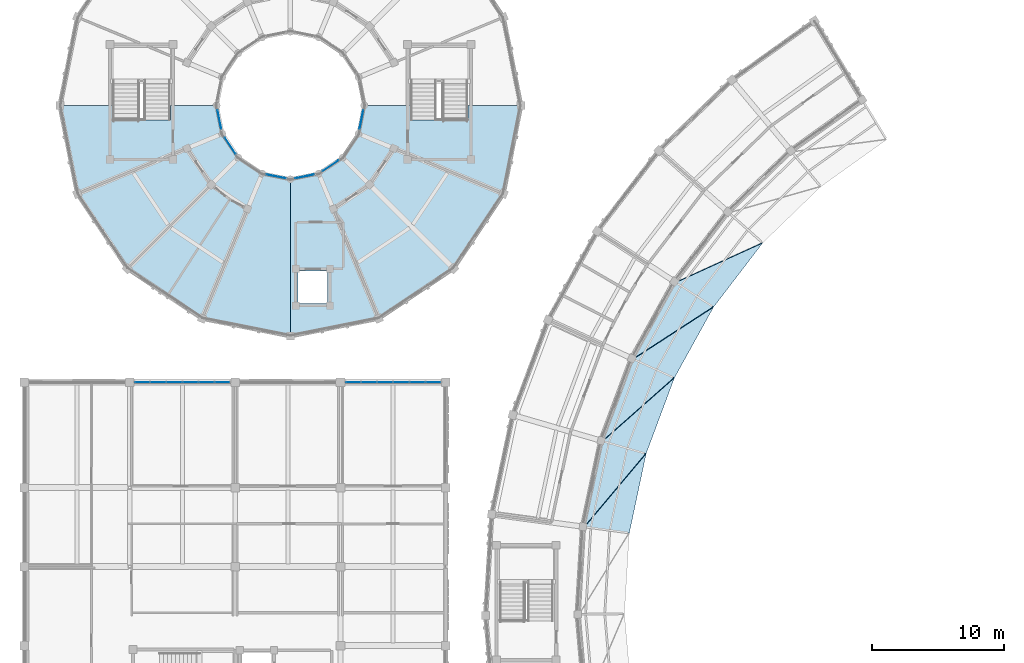
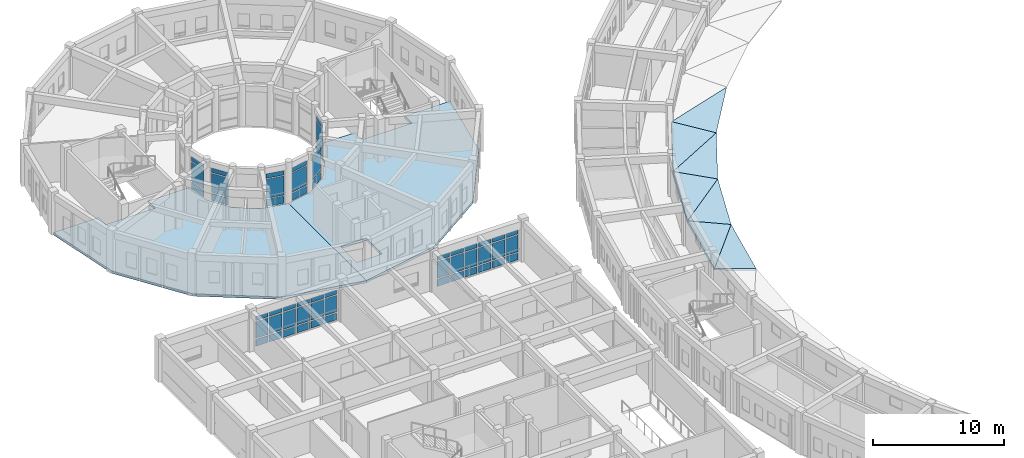
# One storey, part 69 of 112: 54 plates, 9 slabs, 8 elements without a shape of their own.
"""IFC4 building model written with IfcOpenShell, lengths in metres."""

from ifc_helpers import new_model, si_unit, direction, frame, origin, origin_2d, place, context, subcontext, project, spatial, polyline, rectangle, outline, extrude, material, layer, layer_set, type_object, element, aggregate, save


model = new_model("IFC4")

# Units and contexts
model_context = context("Model", 3, precision=1e-05, world=origin(), true_north=direction((0.0, 1.0)))
body_context = subcontext(model_context, "Body", "Model", "MODEL_VIEW")
ifc_project = project(units=[si_unit("LENGTHUNIT", "METRE"), si_unit("AREAUNIT", "SQUARE_METRE"), si_unit("VOLUMEUNIT", "CUBIC_METRE"), si_unit("PLANEANGLEUNIT", "RADIAN"), si_unit("MASSUNIT", "GRAM", prefix="KILO")], contexts=[model_context])

# Site, building, storey
site_placement = place(None, origin())
site = spatial("IfcSite", under=ifc_project, at=site_placement, CompositionType="ELEMENT")
building_placement = place(site_placement, origin())
building = spatial("IfcBuilding", under=site, at=building_placement, Name="Celadon Cloister-Ring School", CompositionType="ELEMENT")
storey_placement = place(building_placement, frame((0.0, 0.0, 8.5)))
storey = spatial("IfcBuildingStorey", under=building, at=storey_placement, Name="L02", CompositionType="ELEMENT", Elevation=8.5)

# Curtain wall, plates
ifc_material_1 = material(Name="Aluminium EN AW-6063 T6", Category="aluminium")
curtain_wall_type_1 = type_object("IfcCurtainWallType", Name="CW-04", PredefinedType="USERDEFINED", material=ifc_material_1)
curtain_wall_1_placement = place(storey_placement, origin())
curtain_wall_1 = element("IfcCurtainWall", 1, at=curtain_wall_1_placement, inside=storey, type_object=curtain_wall_type_1, Name="Curtain Wall 0109", ObjectType="CURTAIN WALL", PredefinedType="USERDEFINED")
ifc_material_2 = material(Name="Tempered laminated insulating glass", Category="glass")
ifc_layer_1 = layer(ifc_material_2, 0.02001953125)
ifc_layer_set_1 = layer_set([ifc_layer_1], Name="Tempered laminated insulating glass")
plate_type = type_object("IfcPlateType", Name="CPN-01", PredefinedType="CURTAIN_PANEL", material=ifc_layer_set_1)
plate_1_placement = place(storey_placement, frame((14.81298828125, 95.928466796875, 0.090087890625), z_axis=(0.0, 0.0, 1.0), x_axis=(0.194586131301, -0.980885435464, 0.0)))
plate_1 = element("IfcPlate", 2, at=plate_1_placement, type_object=plate_type, Name="CW-04 panel 1.1", PredefinedType="CURTAIN_PANEL", context=body_context, shape_type="SweptSolid", body=[
    extrude(rectangle(XDim=1.4443359375, YDim=0.02001953125, at=origin_2d()), origin(), (0.0, 0.0, 1.0), 0.6650390625),
])
plate_2_placement = place(storey_placement, frame((14.81298828125, 95.928466796875, 0.84521484375), z_axis=(0.0, 0.0, 1.0), x_axis=(0.194586131301, -0.980885435464, 0.0)))
plate_2 = element("IfcPlate", 3, at=plate_2_placement, type_object=plate_type, Name="CW-04 panel 1.2", PredefinedType="CURTAIN_PANEL", context=body_context, shape_type="SweptSolid", body=[
    extrude(rectangle(XDim=1.4443359375, YDim=0.02001953125, at=origin_2d()), origin(), (0.0, 0.0, 1.0), 1.781982421875),
])
plate_3_placement = place(storey_placement, frame((14.81298828125, 95.928466796875, 2.717041015625), z_axis=(0.0, 0.0, 1.0), x_axis=(0.194586131301, -0.980885435464, 0.0)))
plate_3 = element("IfcPlate", 4, at=plate_3_placement, type_object=plate_type, Name="CW-04 panel 1.3", PredefinedType="CURTAIN_PANEL", context=body_context, shape_type="SweptSolid", body=[
    extrude(rectangle(XDim=1.4443359375, YDim=0.02001953125, at=origin_2d()), origin(), (0.0, 0.0, 1.0), 0.4150390625),
])
aggregate(curtain_wall_1, [plate_1, plate_2, plate_3])

curtain_wall_2_placement = place(storey_placement, origin())
curtain_wall_2 = element("IfcCurtainWall", 5, at=curtain_wall_2_placement, inside=storey, type_object=curtain_wall_type_1, Name="Curtain Wall 0110", ObjectType="CURTAIN WALL", PredefinedType="USERDEFINED")
plate_4_placement = place(storey_placement, frame((15.633056640625, 93.948486328125, 0.090087890625), z_axis=(0.0, 0.0, 1.0), x_axis=(0.555547066224, -0.831485091394, 0.0)))
plate_4 = element("IfcPlate", 6, at=plate_4_placement, type_object=plate_type, Name="CW-04 panel 1.1", PredefinedType="CURTAIN_PANEL", context=body_context, shape_type="SweptSolid", body=[
    extrude(rectangle(XDim=1.4443359375, YDim=0.02001953125, at=origin_2d()), origin(), (0.0, 0.0, 1.0), 0.6650390625),
])
plate_5_placement = place(storey_placement, frame((15.633056640625, 93.948486328125, 0.84521484375), z_axis=(0.0, 0.0, 1.0), x_axis=(0.555547066224, -0.831485091394, 0.0)))
plate_5 = element("IfcPlate", 7, at=plate_5_placement, type_object=plate_type, Name="CW-04 panel 1.2", PredefinedType="CURTAIN_PANEL", context=body_context, shape_type="SweptSolid", body=[
    extrude(rectangle(XDim=1.4443359375, YDim=0.02001953125, at=origin_2d()), origin(), (0.0, 0.0, 1.0), 1.781982421875),
])
plate_6_placement = place(storey_placement, frame((15.633056640625, 93.948486328125, 2.717041015625), z_axis=(0.0, 0.0, 1.0), x_axis=(0.555547066224, -0.831485091394, 0.0)))
plate_6 = element("IfcPlate", 8, at=plate_6_placement, type_object=plate_type, Name="CW-04 panel 1.3", PredefinedType="CURTAIN_PANEL", context=body_context, shape_type="SweptSolid", body=[
    extrude(rectangle(XDim=1.4443359375, YDim=0.02001953125, at=origin_2d()), origin(), (0.0, 0.0, 1.0), 0.4150390625),
])
aggregate(curtain_wall_2, [plate_4, plate_5, plate_6])

curtain_wall_3_placement = place(storey_placement, origin())
curtain_wall_3 = element("IfcCurtainWall", 9, at=curtain_wall_3_placement, inside=storey, type_object=curtain_wall_type_1, Name="Curtain Wall 0111", ObjectType="CURTAIN WALL", PredefinedType="USERDEFINED")
plate_7_placement = place(storey_placement, frame((19.12841796875, 91.613037109375, 0.090087890625), z_axis=(0.0, 0.0, 1.0), x_axis=(0.980885435464, -0.194586131301, 0.0)))
plate_7 = element("IfcPlate", 10, at=plate_7_placement, type_object=plate_type, Name="CW-04 panel 1.1", PredefinedType="CURTAIN_PANEL", context=body_context, shape_type="SweptSolid", body=[
    extrude(rectangle(XDim=1.4443359375, YDim=0.02001953125, at=origin_2d()), origin(), (0.0, 0.0, 1.0), 0.6650390625),
])
plate_8_placement = place(storey_placement, frame((19.12841796875, 91.613037109375, 0.84521484375), z_axis=(0.0, 0.0, 1.0), x_axis=(0.980885435464, -0.194586131301, 0.0)))
plate_8 = element("IfcPlate", 11, at=plate_8_placement, type_object=plate_type, Name="CW-04 panel 1.2", PredefinedType="CURTAIN_PANEL", context=body_context, shape_type="SweptSolid", body=[
    extrude(rectangle(XDim=1.4443359375, YDim=0.02001953125, at=origin_2d()), origin(), (0.0, 0.0, 1.0), 1.781982421875),
])
plate_9_placement = place(storey_placement, frame((19.12841796875, 91.613037109375, 2.717041015625), z_axis=(0.0, 0.0, 1.0), x_axis=(0.980885435464, -0.194586131301, 0.0)))
plate_9 = element("IfcPlate", 12, at=plate_9_placement, type_object=plate_type, Name="CW-04 panel 1.3", PredefinedType="CURTAIN_PANEL", context=body_context, shape_type="SweptSolid", body=[
    extrude(rectangle(XDim=1.4443359375, YDim=0.02001953125, at=origin_2d()), origin(), (0.0, 0.0, 1.0), 0.4150390625),
])
aggregate(curtain_wall_3, [plate_7, plate_8, plate_9])

curtain_wall_4_placement = place(storey_placement, origin())
curtain_wall_4 = element("IfcCurtainWall", 13, at=curtain_wall_4_placement, inside=storey, type_object=curtain_wall_type_1, Name="Curtain Wall 0112", ObjectType="CURTAIN WALL", PredefinedType="USERDEFINED")
plate_10_placement = place(storey_placement, frame((21.271484375, 91.613037109375, 0.090087890625), z_axis=(0.0, 0.0, 1.0), x_axis=(0.980885435464, 0.194586131301, 0.0)))
plate_10 = element("IfcPlate", 14, at=plate_10_placement, type_object=plate_type, Name="CW-04 panel 1.1", PredefinedType="CURTAIN_PANEL", context=body_context, shape_type="SweptSolid", body=[
    extrude(rectangle(XDim=1.4443359375, YDim=0.02001953125, at=origin_2d()), origin(), (0.0, 0.0, 1.0), 0.6650390625),
])
plate_11_placement = place(storey_placement, frame((21.271484375, 91.613037109375, 0.84521484375), z_axis=(0.0, 0.0, 1.0), x_axis=(0.980885435464, 0.194586131301, 0.0)))
plate_11 = element("IfcPlate", 15, at=plate_11_placement, type_object=plate_type, Name="CW-04 panel 1.2", PredefinedType="CURTAIN_PANEL", context=body_context, shape_type="SweptSolid", body=[
    extrude(rectangle(XDim=1.4443359375, YDim=0.02001953125, at=origin_2d()), origin(), (0.0, 0.0, 1.0), 1.781982421875),
])
plate_12_placement = place(storey_placement, frame((21.271484375, 91.613037109375, 2.717041015625), z_axis=(0.0, 0.0, 1.0), x_axis=(0.980885435464, 0.194586131301, 0.0)))
plate_12 = element("IfcPlate", 16, at=plate_12_placement, type_object=plate_type, Name="CW-04 panel 1.3", PredefinedType="CURTAIN_PANEL", context=body_context, shape_type="SweptSolid", body=[
    extrude(rectangle(XDim=1.4443359375, YDim=0.02001953125, at=origin_2d()), origin(), (0.0, 0.0, 1.0), 0.4150390625),
])
aggregate(curtain_wall_4, [plate_10, plate_11, plate_12])

curtain_wall_5_placement = place(storey_placement, origin())
curtain_wall_5 = element("IfcCurtainWall", 17, at=curtain_wall_5_placement, inside=storey, type_object=curtain_wall_type_1, Name="Curtain Wall 0113", ObjectType="CURTAIN WALL", PredefinedType="USERDEFINED")
plate_13_placement = place(storey_placement, frame((23.25146484375, 92.43310546875, 0.090087890625), z_axis=(0.0, 0.0, 1.0), x_axis=(0.831485091394, 0.555547066224, 0.0)))
plate_13 = element("IfcPlate", 18, at=plate_13_placement, type_object=plate_type, Name="CW-04 panel 1.1", PredefinedType="CURTAIN_PANEL", context=body_context, shape_type="SweptSolid", body=[
    extrude(rectangle(XDim=1.4443359375, YDim=0.02001953125, at=origin_2d()), origin(), (0.0, 0.0, 1.0), 0.6650390625),
])
plate_14_placement = place(storey_placement, frame((23.25146484375, 92.43310546875, 0.84521484375), z_axis=(0.0, 0.0, 1.0), x_axis=(0.831485091394, 0.555547066224, 0.0)))
plate_14 = element("IfcPlate", 19, at=plate_14_placement, type_object=plate_type, Name="CW-04 panel 1.2", PredefinedType="CURTAIN_PANEL", context=body_context, shape_type="SweptSolid", body=[
    extrude(rectangle(XDim=1.4443359375, YDim=0.02001953125, at=origin_2d()), origin(), (0.0, 0.0, 1.0), 1.781982421875),
])
plate_15_placement = place(storey_placement, frame((23.25146484375, 92.43310546875, 2.717041015625), z_axis=(0.0, 0.0, 1.0), x_axis=(0.831485091394, 0.555547066224, 0.0)))
plate_15 = element("IfcPlate", 20, at=plate_15_placement, type_object=plate_type, Name="CW-04 panel 1.3", PredefinedType="CURTAIN_PANEL", context=body_context, shape_type="SweptSolid", body=[
    extrude(rectangle(XDim=1.4443359375, YDim=0.02001953125, at=origin_2d()), origin(), (0.0, 0.0, 1.0), 0.4150390625),
])
aggregate(curtain_wall_5, [plate_13, plate_14, plate_15])

curtain_wall_6_placement = place(storey_placement, origin())
curtain_wall_6 = element("IfcCurtainWall", 21, at=curtain_wall_6_placement, inside=storey, type_object=curtain_wall_type_1, Name="Curtain Wall 0114", ObjectType="CURTAIN WALL", PredefinedType="USERDEFINED")
plate_16_placement = place(storey_placement, frame((25.5869140625, 95.928466796875, 0.090087890625), z_axis=(0.0, 0.0, 1.0), x_axis=(0.194586131301, 0.980885435464, 0.0)))
plate_16 = element("IfcPlate", 22, at=plate_16_placement, type_object=plate_type, Name="CW-04 panel 1.1", PredefinedType="CURTAIN_PANEL", context=body_context, shape_type="SweptSolid", body=[
    extrude(rectangle(XDim=1.4443359375, YDim=0.02001953125, at=origin_2d()), origin(), (0.0, 0.0, 1.0), 0.6650390625),
])
plate_17_placement = place(storey_placement, frame((25.5869140625, 95.928466796875, 0.84521484375), z_axis=(0.0, 0.0, 1.0), x_axis=(0.194586131301, 0.980885435464, 0.0)))
plate_17 = element("IfcPlate", 23, at=plate_17_placement, type_object=plate_type, Name="CW-04 panel 1.2", PredefinedType="CURTAIN_PANEL", context=body_context, shape_type="SweptSolid", body=[
    extrude(rectangle(XDim=1.4443359375, YDim=0.02001953125, at=origin_2d()), origin(), (0.0, 0.0, 1.0), 1.781982421875),
])
plate_18_placement = place(storey_placement, frame((25.5869140625, 95.928466796875, 2.717041015625), z_axis=(0.0, 0.0, 1.0), x_axis=(0.194586131301, 0.980885435464, 0.0)))
plate_18 = element("IfcPlate", 24, at=plate_18_placement, type_object=plate_type, Name="CW-04 panel 1.3", PredefinedType="CURTAIN_PANEL", context=body_context, shape_type="SweptSolid", body=[
    extrude(rectangle(XDim=1.4443359375, YDim=0.02001953125, at=origin_2d()), origin(), (0.0, 0.0, 1.0), 0.4150390625),
])
aggregate(curtain_wall_6, [plate_16, plate_17, plate_18])

ifc_material_3 = material(Name="Aluminium EN AW-6063 T6", Category="aluminium")
curtain_wall_type_2 = type_object("IfcCurtainWallType", Name="CW-15", PredefinedType="USERDEFINED", material=ifc_material_3)
curtain_wall_7_placement = place(storey_placement, origin())
curtain_wall_7 = element("IfcCurtainWall", 25, at=curtain_wall_7_placement, inside=storey, type_object=curtain_wall_type_2, Name="Curtain Wall 0199", ObjectType="CURTAIN WALL", PredefinedType="USERDEFINED")
plate_19_placement = place(storey_placement, frame((8.965087890625, 76.0, 0.10498046875), z_axis=(0.0, 0.0, 1.0), x_axis=(1.0, 0.0, 0.0)))
plate_19 = element("IfcPlate", 26, at=plate_19_placement, type_object=plate_type, Name="CW-15 panel 1.1", PredefinedType="CURTAIN_PANEL", context=body_context, shape_type="SweptSolid", body=[
    extrude(rectangle(XDim=1.06005859375, YDim=0.02001953125, at=origin_2d()), origin(), (0.0, 0.0, 1.0), 0.642578125),
])
plate_20_placement = place(storey_placement, frame((8.965087890625, 76.0, 0.8525390625), z_axis=(0.0, 0.0, 1.0), x_axis=(1.0, 0.0, 0.0)))
plate_20 = element("IfcPlate", 27, at=plate_20_placement, type_object=plate_type, Name="CW-15 panel 1.2", PredefinedType="CURTAIN_PANEL", context=body_context, shape_type="SweptSolid", body=[
    extrude(rectangle(XDim=1.06005859375, YDim=0.02001953125, at=origin_2d()), origin(), (0.0, 0.0, 1.0), 1.547119140625),
])
plate_21_placement = place(storey_placement, frame((8.965087890625, 76.0, 2.50439453125), z_axis=(0.0, 0.0, 1.0), x_axis=(1.0, 0.0, 0.0)))
plate_21 = element("IfcPlate", 28, at=plate_21_placement, type_object=plate_type, Name="CW-15 panel 1.3", PredefinedType="CURTAIN_PANEL", context=body_context, shape_type="SweptSolid", body=[
    extrude(rectangle(XDim=1.06005859375, YDim=0.02001953125, at=origin_2d()), origin(), (0.0, 0.0, 1.0), 0.392578125),
])
plate_22_placement = place(storey_placement, frame((10.16259765625, 76.0, 0.10498046875), z_axis=(0.0, 0.0, 1.0), x_axis=(1.0, 0.0, 0.0)))
plate_22 = element("IfcPlate", 29, at=plate_22_placement, type_object=plate_type, Name="CW-15 panel 2.1", PredefinedType="CURTAIN_PANEL", context=body_context, shape_type="SweptSolid", body=[
    extrude(rectangle(XDim=1.114990234375, YDim=0.02001953125, at=origin_2d()), origin(), (0.0, 0.0, 1.0), 0.642578125),
])
plate_23_placement = place(storey_placement, frame((10.16259765625, 76.0, 0.8525390625), z_axis=(0.0, 0.0, 1.0), x_axis=(1.0, 0.0, 0.0)))
plate_23 = element("IfcPlate", 30, at=plate_23_placement, type_object=plate_type, Name="CW-15 panel 2.2", PredefinedType="CURTAIN_PANEL", context=body_context, shape_type="SweptSolid", body=[
    extrude(rectangle(XDim=1.114990234375, YDim=0.02001953125, at=origin_2d()), origin(), (0.0, 0.0, 1.0), 1.547119140625),
])
plate_24_placement = place(storey_placement, frame((10.16259765625, 76.0, 2.50439453125), z_axis=(0.0, 0.0, 1.0), x_axis=(1.0, 0.0, 0.0)))
plate_24 = element("IfcPlate", 31, at=plate_24_placement, type_object=plate_type, Name="CW-15 panel 2.3", PredefinedType="CURTAIN_PANEL", context=body_context, shape_type="SweptSolid", body=[
    extrude(rectangle(XDim=1.114990234375, YDim=0.02001953125, at=origin_2d()), origin(), (0.0, 0.0, 1.0), 0.392578125),
])
plate_25_placement = place(storey_placement, frame((11.387451171875, 76.0, 0.10498046875), z_axis=(0.0, 0.0, 1.0), x_axis=(1.0, 0.0, 0.0)))
plate_25 = element("IfcPlate", 32, at=plate_25_placement, type_object=plate_type, Name="CW-15 panel 3.1", PredefinedType="CURTAIN_PANEL", context=body_context, shape_type="SweptSolid", body=[
    extrude(rectangle(XDim=1.114990234375, YDim=0.02001953125, at=origin_2d()), origin(), (0.0, 0.0, 1.0), 0.642578125),
])
plate_26_placement = place(storey_placement, frame((11.387451171875, 76.0, 0.8525390625), z_axis=(0.0, 0.0, 1.0), x_axis=(1.0, 0.0, 0.0)))
plate_26 = element("IfcPlate", 33, at=plate_26_placement, type_object=plate_type, Name="CW-15 panel 3.2", PredefinedType="CURTAIN_PANEL", context=body_context, shape_type="SweptSolid", body=[
    extrude(rectangle(XDim=1.114990234375, YDim=0.02001953125, at=origin_2d()), origin(), (0.0, 0.0, 1.0), 1.547119140625),
])
plate_27_placement = place(storey_placement, frame((11.387451171875, 76.0, 2.50439453125), z_axis=(0.0, 0.0, 1.0), x_axis=(1.0, 0.0, 0.0)))
plate_27 = element("IfcPlate", 34, at=plate_27_placement, type_object=plate_type, Name="CW-15 panel 3.3", PredefinedType="CURTAIN_PANEL", context=body_context, shape_type="SweptSolid", body=[
    extrude(rectangle(XDim=1.114990234375, YDim=0.02001953125, at=origin_2d()), origin(), (0.0, 0.0, 1.0), 0.392578125),
])
plate_28_placement = place(storey_placement, frame((12.612548828125, 76.0, 0.10498046875), z_axis=(0.0, 0.0, 1.0), x_axis=(1.0, 0.0, 0.0)))
plate_28 = element("IfcPlate", 35, at=plate_28_placement, type_object=plate_type, Name="CW-15 panel 4.1", PredefinedType="CURTAIN_PANEL", context=body_context, shape_type="SweptSolid", body=[
    extrude(rectangle(XDim=1.114990234375, YDim=0.02001953125, at=origin_2d()), origin(), (0.0, 0.0, 1.0), 0.642578125),
])
plate_29_placement = place(storey_placement, frame((12.612548828125, 76.0, 0.8525390625), z_axis=(0.0, 0.0, 1.0), x_axis=(1.0, 0.0, 0.0)))
plate_29 = element("IfcPlate", 36, at=plate_29_placement, type_object=plate_type, Name="CW-15 panel 4.2", PredefinedType="CURTAIN_PANEL", context=body_context, shape_type="SweptSolid", body=[
    extrude(rectangle(XDim=1.114990234375, YDim=0.02001953125, at=origin_2d()), origin(), (0.0, 0.0, 1.0), 1.547119140625),
])
plate_30_placement = place(storey_placement, frame((12.612548828125, 76.0, 2.50439453125), z_axis=(0.0, 0.0, 1.0), x_axis=(1.0, 0.0, 0.0)))
plate_30 = element("IfcPlate", 37, at=plate_30_placement, type_object=plate_type, Name="CW-15 panel 4.3", PredefinedType="CURTAIN_PANEL", context=body_context, shape_type="SweptSolid", body=[
    extrude(rectangle(XDim=1.114990234375, YDim=0.02001953125, at=origin_2d()), origin(), (0.0, 0.0, 1.0), 0.392578125),
])
plate_31_placement = place(storey_placement, frame((13.83740234375, 76.0, 0.10498046875), z_axis=(0.0, 0.0, 1.0), x_axis=(1.0, 0.0, 0.0)))
plate_31 = element("IfcPlate", 38, at=plate_31_placement, type_object=plate_type, Name="CW-15 panel 5.1", PredefinedType="CURTAIN_PANEL", context=body_context, shape_type="SweptSolid", body=[
    extrude(rectangle(XDim=1.114990234375, YDim=0.02001953125, at=origin_2d()), origin(), (0.0, 0.0, 1.0), 0.642578125),
])
plate_32_placement = place(storey_placement, frame((13.83740234375, 76.0, 0.8525390625), z_axis=(0.0, 0.0, 1.0), x_axis=(1.0, 0.0, 0.0)))
plate_32 = element("IfcPlate", 39, at=plate_32_placement, type_object=plate_type, Name="CW-15 panel 5.2", PredefinedType="CURTAIN_PANEL", context=body_context, shape_type="SweptSolid", body=[
    extrude(rectangle(XDim=1.114990234375, YDim=0.02001953125, at=origin_2d()), origin(), (0.0, 0.0, 1.0), 1.547119140625),
])
plate_33_placement = place(storey_placement, frame((13.83740234375, 76.0, 2.50439453125), z_axis=(0.0, 0.0, 1.0), x_axis=(1.0, 0.0, 0.0)))
plate_33 = element("IfcPlate", 40, at=plate_33_placement, type_object=plate_type, Name="CW-15 panel 5.3", PredefinedType="CURTAIN_PANEL", context=body_context, shape_type="SweptSolid", body=[
    extrude(rectangle(XDim=1.114990234375, YDim=0.02001953125, at=origin_2d()), origin(), (0.0, 0.0, 1.0), 0.392578125),
])
plate_34_placement = place(storey_placement, frame((15.034912109375, 76.0, 0.10498046875), z_axis=(0.0, 0.0, 1.0), x_axis=(1.0, 0.0, 0.0)))
plate_34 = element("IfcPlate", 41, at=plate_34_placement, type_object=plate_type, Name="CW-15 panel 6.1", PredefinedType="CURTAIN_PANEL", context=body_context, shape_type="SweptSolid", body=[
    extrude(rectangle(XDim=1.06005859375, YDim=0.02001953125, at=origin_2d()), origin(), (0.0, 0.0, 1.0), 0.642578125),
])
plate_35_placement = place(storey_placement, frame((15.034912109375, 76.0, 0.8525390625), z_axis=(0.0, 0.0, 1.0), x_axis=(1.0, 0.0, 0.0)))
plate_35 = element("IfcPlate", 42, at=plate_35_placement, type_object=plate_type, Name="CW-15 panel 6.2", PredefinedType="CURTAIN_PANEL", context=body_context, shape_type="SweptSolid", body=[
    extrude(rectangle(XDim=1.06005859375, YDim=0.02001953125, at=origin_2d()), origin(), (0.0, 0.0, 1.0), 1.547119140625),
])
plate_36_placement = place(storey_placement, frame((15.034912109375, 76.0, 2.50439453125), z_axis=(0.0, 0.0, 1.0), x_axis=(1.0, 0.0, 0.0)))
plate_36 = element("IfcPlate", 43, at=plate_36_placement, type_object=plate_type, Name="CW-15 panel 6.3", PredefinedType="CURTAIN_PANEL", context=body_context, shape_type="SweptSolid", body=[
    extrude(rectangle(XDim=1.06005859375, YDim=0.02001953125, at=origin_2d()), origin(), (0.0, 0.0, 1.0), 0.392578125),
])
aggregate(curtain_wall_7, [plate_19, plate_20, plate_21, plate_22, plate_23, plate_24, plate_25, plate_26, plate_27, plate_28, plate_29, plate_30, plate_31, plate_32, plate_33, plate_34, plate_35, plate_36])

curtain_wall_8_placement = place(storey_placement, origin())
curtain_wall_8 = element("IfcCurtainWall", 44, at=curtain_wall_8_placement, inside=storey, type_object=curtain_wall_type_2, Name="Curtain Wall 0200", ObjectType="CURTAIN WALL", PredefinedType="USERDEFINED")
plate_37_placement = place(storey_placement, frame((24.965087890625, 76.0, 0.10498046875), z_axis=(0.0, 0.0, 1.0), x_axis=(1.0, 0.0, 0.0)))
plate_37 = element("IfcPlate", 45, at=plate_37_placement, type_object=plate_type, Name="CW-15 panel 1.1", PredefinedType="CURTAIN_PANEL", context=body_context, shape_type="SweptSolid", body=[
    extrude(rectangle(XDim=1.06005859375, YDim=0.02001953125, at=origin_2d()), origin(), (0.0, 0.0, 1.0), 0.642578125),
])
plate_38_placement = place(storey_placement, frame((24.965087890625, 76.0, 0.8525390625), z_axis=(0.0, 0.0, 1.0), x_axis=(1.0, 0.0, 0.0)))
plate_38 = element("IfcPlate", 46, at=plate_38_placement, type_object=plate_type, Name="CW-15 panel 1.2", PredefinedType="CURTAIN_PANEL", context=body_context, shape_type="SweptSolid", body=[
    extrude(rectangle(XDim=1.06005859375, YDim=0.02001953125, at=origin_2d()), origin(), (0.0, 0.0, 1.0), 1.547119140625),
])
plate_39_placement = place(storey_placement, frame((24.965087890625, 76.0, 2.50439453125), z_axis=(0.0, 0.0, 1.0), x_axis=(1.0, 0.0, 0.0)))
plate_39 = element("IfcPlate", 47, at=plate_39_placement, type_object=plate_type, Name="CW-15 panel 1.3", PredefinedType="CURTAIN_PANEL", context=body_context, shape_type="SweptSolid", body=[
    extrude(rectangle(XDim=1.06005859375, YDim=0.02001953125, at=origin_2d()), origin(), (0.0, 0.0, 1.0), 0.392578125),
])
plate_40_placement = place(storey_placement, frame((26.16259765625, 76.0, 0.10498046875), z_axis=(0.0, 0.0, 1.0), x_axis=(1.0, 0.0, 0.0)))
plate_40 = element("IfcPlate", 48, at=plate_40_placement, type_object=plate_type, Name="CW-15 panel 2.1", PredefinedType="CURTAIN_PANEL", context=body_context, shape_type="SweptSolid", body=[
    extrude(rectangle(XDim=1.114990234375, YDim=0.02001953125, at=origin_2d()), origin(), (0.0, 0.0, 1.0), 0.642578125),
])
plate_41_placement = place(storey_placement, frame((26.16259765625, 76.0, 0.8525390625), z_axis=(0.0, 0.0, 1.0), x_axis=(1.0, 0.0, 0.0)))
plate_41 = element("IfcPlate", 49, at=plate_41_placement, type_object=plate_type, Name="CW-15 panel 2.2", PredefinedType="CURTAIN_PANEL", context=body_context, shape_type="SweptSolid", body=[
    extrude(rectangle(XDim=1.114990234375, YDim=0.02001953125, at=origin_2d()), origin(), (0.0, 0.0, 1.0), 1.547119140625),
])
plate_42_placement = place(storey_placement, frame((26.16259765625, 76.0, 2.50439453125), z_axis=(0.0, 0.0, 1.0), x_axis=(1.0, 0.0, 0.0)))
plate_42 = element("IfcPlate", 50, at=plate_42_placement, type_object=plate_type, Name="CW-15 panel 2.3", PredefinedType="CURTAIN_PANEL", context=body_context, shape_type="SweptSolid", body=[
    extrude(rectangle(XDim=1.114990234375, YDim=0.02001953125, at=origin_2d()), origin(), (0.0, 0.0, 1.0), 0.392578125),
])
plate_43_placement = place(storey_placement, frame((27.387451171875, 76.0, 0.10498046875), z_axis=(0.0, 0.0, 1.0), x_axis=(1.0, 0.0, 0.0)))
plate_43 = element("IfcPlate", 51, at=plate_43_placement, type_object=plate_type, Name="CW-15 panel 3.1", PredefinedType="CURTAIN_PANEL", context=body_context, shape_type="SweptSolid", body=[
    extrude(rectangle(XDim=1.114990234375, YDim=0.02001953125, at=origin_2d()), origin(), (0.0, 0.0, 1.0), 0.642578125),
])
plate_44_placement = place(storey_placement, frame((27.387451171875, 76.0, 0.8525390625), z_axis=(0.0, 0.0, 1.0), x_axis=(1.0, 0.0, 0.0)))
plate_44 = element("IfcPlate", 52, at=plate_44_placement, type_object=plate_type, Name="CW-15 panel 3.2", PredefinedType="CURTAIN_PANEL", context=body_context, shape_type="SweptSolid", body=[
    extrude(rectangle(XDim=1.114990234375, YDim=0.02001953125, at=origin_2d()), origin(), (0.0, 0.0, 1.0), 1.547119140625),
])
plate_45_placement = place(storey_placement, frame((27.387451171875, 76.0, 2.50439453125), z_axis=(0.0, 0.0, 1.0), x_axis=(1.0, 0.0, 0.0)))
plate_45 = element("IfcPlate", 53, at=plate_45_placement, type_object=plate_type, Name="CW-15 panel 3.3", PredefinedType="CURTAIN_PANEL", context=body_context, shape_type="SweptSolid", body=[
    extrude(rectangle(XDim=1.114990234375, YDim=0.02001953125, at=origin_2d()), origin(), (0.0, 0.0, 1.0), 0.392578125),
])
plate_46_placement = place(storey_placement, frame((28.612548828125, 76.0, 0.10498046875), z_axis=(0.0, 0.0, 1.0), x_axis=(1.0, 0.0, 0.0)))
plate_46 = element("IfcPlate", 54, at=plate_46_placement, type_object=plate_type, Name="CW-15 panel 4.1", PredefinedType="CURTAIN_PANEL", context=body_context, shape_type="SweptSolid", body=[
    extrude(rectangle(XDim=1.114990234375, YDim=0.02001953125, at=origin_2d()), origin(), (0.0, 0.0, 1.0), 0.642578125),
])
plate_47_placement = place(storey_placement, frame((28.612548828125, 76.0, 0.8525390625), z_axis=(0.0, 0.0, 1.0), x_axis=(1.0, 0.0, 0.0)))
plate_47 = element("IfcPlate", 55, at=plate_47_placement, type_object=plate_type, Name="CW-15 panel 4.2", PredefinedType="CURTAIN_PANEL", context=body_context, shape_type="SweptSolid", body=[
    extrude(rectangle(XDim=1.114990234375, YDim=0.02001953125, at=origin_2d()), origin(), (0.0, 0.0, 1.0), 1.547119140625),
])
plate_48_placement = place(storey_placement, frame((28.612548828125, 76.0, 2.50439453125), z_axis=(0.0, 0.0, 1.0), x_axis=(1.0, 0.0, 0.0)))
plate_48 = element("IfcPlate", 56, at=plate_48_placement, type_object=plate_type, Name="CW-15 panel 4.3", PredefinedType="CURTAIN_PANEL", context=body_context, shape_type="SweptSolid", body=[
    extrude(rectangle(XDim=1.114990234375, YDim=0.02001953125, at=origin_2d()), origin(), (0.0, 0.0, 1.0), 0.392578125),
])
plate_49_placement = place(storey_placement, frame((29.83740234375, 76.0, 0.10498046875), z_axis=(0.0, 0.0, 1.0), x_axis=(1.0, 0.0, 0.0)))
plate_49 = element("IfcPlate", 57, at=plate_49_placement, type_object=plate_type, Name="CW-15 panel 5.1", PredefinedType="CURTAIN_PANEL", context=body_context, shape_type="SweptSolid", body=[
    extrude(rectangle(XDim=1.114990234375, YDim=0.02001953125, at=origin_2d()), origin(), (0.0, 0.0, 1.0), 0.642578125),
])
plate_50_placement = place(storey_placement, frame((29.83740234375, 76.0, 0.8525390625), z_axis=(0.0, 0.0, 1.0), x_axis=(1.0, 0.0, 0.0)))
plate_50 = element("IfcPlate", 58, at=plate_50_placement, type_object=plate_type, Name="CW-15 panel 5.2", PredefinedType="CURTAIN_PANEL", context=body_context, shape_type="SweptSolid", body=[
    extrude(rectangle(XDim=1.114990234375, YDim=0.02001953125, at=origin_2d()), origin(), (0.0, 0.0, 1.0), 1.547119140625),
])
plate_51_placement = place(storey_placement, frame((29.83740234375, 76.0, 2.50439453125), z_axis=(0.0, 0.0, 1.0), x_axis=(1.0, 0.0, 0.0)))
plate_51 = element("IfcPlate", 59, at=plate_51_placement, type_object=plate_type, Name="CW-15 panel 5.3", PredefinedType="CURTAIN_PANEL", context=body_context, shape_type="SweptSolid", body=[
    extrude(rectangle(XDim=1.114990234375, YDim=0.02001953125, at=origin_2d()), origin(), (0.0, 0.0, 1.0), 0.392578125),
])
plate_52_placement = place(storey_placement, frame((31.034912109375, 76.0, 0.10498046875), z_axis=(0.0, 0.0, 1.0), x_axis=(1.0, 0.0, 0.0)))
plate_52 = element("IfcPlate", 60, at=plate_52_placement, type_object=plate_type, Name="CW-15 panel 6.1", PredefinedType="CURTAIN_PANEL", context=body_context, shape_type="SweptSolid", body=[
    extrude(rectangle(XDim=1.06005859375, YDim=0.02001953125, at=origin_2d()), origin(), (0.0, 0.0, 1.0), 0.642578125),
])
plate_53_placement = place(storey_placement, frame((31.034912109375, 76.0, 0.8525390625), z_axis=(0.0, 0.0, 1.0), x_axis=(1.0, 0.0, 0.0)))
plate_53 = element("IfcPlate", 61, at=plate_53_placement, type_object=plate_type, Name="CW-15 panel 6.2", PredefinedType="CURTAIN_PANEL", context=body_context, shape_type="SweptSolid", body=[
    extrude(rectangle(XDim=1.06005859375, YDim=0.02001953125, at=origin_2d()), origin(), (0.0, 0.0, 1.0), 1.547119140625),
])
plate_54_placement = place(storey_placement, frame((31.034912109375, 76.0, 2.50439453125), z_axis=(0.0, 0.0, 1.0), x_axis=(1.0, 0.0, 0.0)))
plate_54 = element("IfcPlate", 62, at=plate_54_placement, type_object=plate_type, Name="CW-15 panel 6.3", PredefinedType="CURTAIN_PANEL", context=body_context, shape_type="SweptSolid", body=[
    extrude(rectangle(XDim=1.06005859375, YDim=0.02001953125, at=origin_2d()), origin(), (0.0, 0.0, 1.0), 0.392578125),
])
aggregate(curtain_wall_8, [plate_37, plate_38, plate_39, plate_40, plate_41, plate_42, plate_43, plate_44, plate_45, plate_46, plate_47, plate_48, plate_49, plate_50, plate_51, plate_52, plate_53, plate_54])

# Slabs
ifc_material_4 = material(Name="Concrete C35/45", Category="concrete")
ifc_layer_2 = layer(ifc_material_4, 0.219970703125)
ifc_layer_set_2 = layer_set([ifc_layer_2], Name="Concrete C35/45")
slab_type_1 = type_object("IfcSlabType", Name="SL-FL2", PredefinedType="FLOOR", material=ifc_layer_set_2)
slab_1_placement = place(storey_placement, frame((0.0, 0.0, -0.219970703125)))
element("IfcSlab", 63, at=slab_1_placement, inside=storey, type_object=slab_type_1, Name="V3 Ring L02 Sector 0039", PredefinedType="FLOOR", context=body_context, shape_type="SweptSolid", body=[
    extrude(outline(polyline([(14.60009765625, 97.0), (15.02587890625, 94.85693359375), (16.239990234375, 93.0400390625), (18.056884765625, 91.825927734375), (20.199951171875, 91.39990234375), (20.199951171875, 79.5), (13.5029296875, 80.83203125), (7.825927734375, 84.6259765625), (4.031982421875, 90.302978515625), (2.699951171875, 97.0), (6.719970703125, 97.0), (6.719970703125, 95.9150390625), (11.080078125, 95.9150390625), (11.080078125, 97.0), (14.60009765625, 97.0)])), origin(), (0.0, 0.0, 1.0), 0.219970703125),
])
slab_2_placement = place(storey_placement, frame((0.0, 0.0, -0.219970703125)))
element("IfcSlab", 64, at=slab_2_placement, inside=storey, type_object=slab_type_1, Name="V3 Ring L02 Sector 0040", PredefinedType="FLOOR", context=body_context, shape_type="SweptSolid", body=[
    extrude(outline(polyline([(37.699951171875, 97.0), (36.367919921875, 90.302978515625), (32.573974609375, 84.6259765625), (26.89697265625, 80.83203125), (20.199951171875, 79.5), (20.199951171875, 91.39990234375), (22.343017578125, 91.825927734375), (24.159912109375, 93.0400390625), (25.3740234375, 94.85693359375), (25.800048828125, 97.0), (29.320068359375, 97.0), (29.320068359375, 95.9150390625), (33.679931640625, 95.9150390625), (33.679931640625, 97.0), (37.699951171875, 97.0)]), holes=[polyline([(20.780029296875, 81.97998046875), (23.02001953125, 81.97998046875), (23.02001953125, 84.419921875), (20.780029296875, 84.419921875), (20.780029296875, 81.97998046875)])]), origin(), (0.0, 0.0, 1.0), 0.219970703125),
])
ifc_material_5 = material(Name="Concrete C35/45", Category="concrete")
ifc_layer_3 = layer(ifc_material_5, 0.179931640625)
ifc_layer_set_3 = layer_set([ifc_layer_3], Name="Concrete C35/45")
slab_type_2 = type_object("IfcSlabType", Name="SL-RF1", PredefinedType="ROOF", material=ifc_layer_set_3)
slab_3_placement = place(storey_placement, frame((56.0458984375, 86.56689453125, 1.199951171875), z_axis=(0.205743680386, -0.157543112636, 0.965841449536), x_axis=(-0.902924995278, -0.411134544179, 0.12527904647)))
element("IfcSlab", 65, at=slab_3_placement, inside=storey, type_object=slab_type_2, Name="Conical Lower Roof Outer Tri 0010", PredefinedType="ROOF", context=body_context, shape_type="SweptSolid", body=[
    extrude(outline(polyline([(0.0, 0.0), (7.30400724048428, -1.3877787807814457e-16), (5.3748187880802405, 2.9684282423420747), (0.0, 0.0)])), origin(), (0.0, 0.0, -1.0), 0.179931640625),
])
slab_4_placement = place(storey_placement, frame((52.31298828125, 81.69189453125, 1.199951171875), z_axis=(0.226761638038, -0.125410816101, 0.965842268033), x_axis=(-0.808435739981, 0.528796831372, 0.258467726132)))
element("IfcSlab", 66, at=slab_4_placement, inside=storey, type_object=slab_type_2, Name="Conical Lower Roof Inner Tri 0013", PredefinedType="ROOF", context=body_context, shape_type="SweptSolid", body=[
    extrude(outline(polyline([(0.0, 0.0), (3.5402449512460503, -1.5959455978986625e-16), (3.065060488711718, 6.630219801067356), (0.0, 0.0)])), origin(), (0.0, 0.0, -1.0), 0.179931640625),
])
slab_5_placement = place(storey_placement, frame((52.31298828125, 81.69189453125, 1.199951171875), z_axis=(0.226759638808, -0.125407527291, 0.965843164446), x_axis=(-0.83225082927, -0.540060598367, 0.125272132856)))
element("IfcSlab", 67, at=slab_5_placement, inside=storey, type_object=slab_type_2, Name="Conical Lower Roof Outer Tri 0014", PredefinedType="ROOF", context=body_context, shape_type="SweptSolid", body=[
    extrude(outline(polyline([(0.0, 0.0), (7.304410339645998, -6.106226635438361e-16), (5.375552533049296, 2.9687152332493625), (0.0, 0.0)])), origin(), (0.0, 0.0, -1.0), 0.179931640625),
])
slab_6_placement = place(storey_placement, frame((49.341064453125, 76.318115234375, 1.199951171875), z_axis=(0.242810943527, -0.090504510188, 0.965842523054), x_axis=(-0.877658097948, 0.40362480139, 0.258463310372)))
element("IfcSlab", 68, at=slab_6_placement, inside=storey, type_object=slab_type_2, Name="Conical Lower Roof Inner Tri 0017", PredefinedType="ROOF", context=body_context, shape_type="SweptSolid", body=[
    extrude(outline(polyline([(0.0, 0.0), (3.5403054351561054, 9.020562075079397e-17), (3.0638516580130917, 6.630545339282036), (0.0, 0.0)])), origin(), (0.0, 0.0, -1.0), 0.179931640625),
])
slab_7_placement = place(storey_placement, frame((49.341064453125, 76.318115234375, 1.199951171875), z_axis=(0.242823050009, -0.090519042699, 0.96583811754), x_axis=(-0.743264978101, -0.657162959682, 0.125275762824)))
element("IfcSlab", 69, at=slab_7_placement, inside=storey, type_object=slab_type_2, Name="Conical Lower Roof Outer Tri 0018", PredefinedType="ROOF", context=body_context, shape_type="SweptSolid", body=[
    extrude(outline(polyline([(0.0, 0.0), (7.304198688328809, -1.6653345369377348e-16), (5.375732396076895, 2.9686456024832575), (0.0, 0.0)])), origin(), (0.0, 0.0, -1.0), 0.179931640625),
])
slab_8_placement = place(storey_placement, frame((47.196044921875, 70.56396484375, 1.199951171875), z_axis=(0.253523387874, -0.053689433157, 0.965838152367), x_axis=(-0.927656564451, 0.269517645816, 0.258483146499)))
element("IfcSlab", 70, at=slab_8_placement, inside=storey, type_object=slab_type_2, Name="Conical Lower Roof Inner Tri 0021", PredefinedType="ROOF", context=body_context, shape_type="SweptSolid", body=[
    extrude(outline(polyline([(0.0, 0.0), (3.54003375033276, 1.5612511283791264e-16), (3.0648797338434917, 6.630397484907603), (0.0, 0.0)])), origin(), (0.0, 0.0, -1.0), 0.179931640625),
])
slab_9_placement = place(storey_placement, frame((47.196044921875, 70.56396484375, 1.199951171875), z_axis=(0.253513123965, -0.053680283514, 0.965841355058), x_axis=(-0.63811835249, -0.759679029633, 0.125270667564)))
element("IfcSlab", 71, at=slab_9_placement, inside=storey, type_object=slab_type_2, Name="Conical Lower Roof Outer Tri 0022", PredefinedType="ROOF", context=body_context, shape_type="SweptSolid", body=[
    extrude(outline(polyline([(0.0, 0.0), (7.304495779367226, -1.942890293094024e-16), (5.375121860493811, 2.9683312632008376), (0.0, 0.0)])), origin(), (0.0, 0.0, -1.0), 0.179931640625),
])

save(model, "model.ifc")
